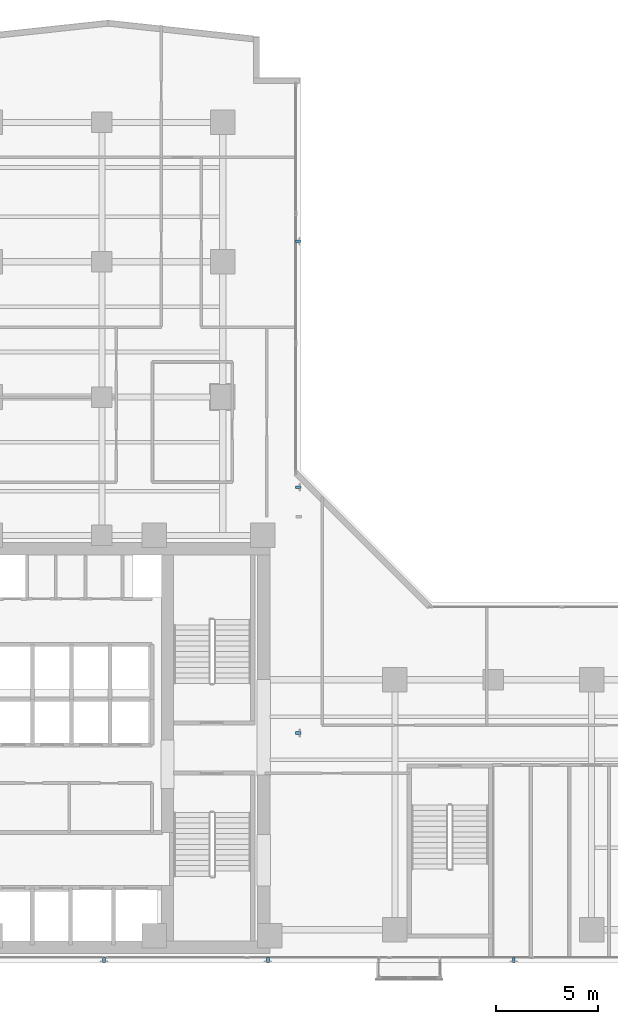
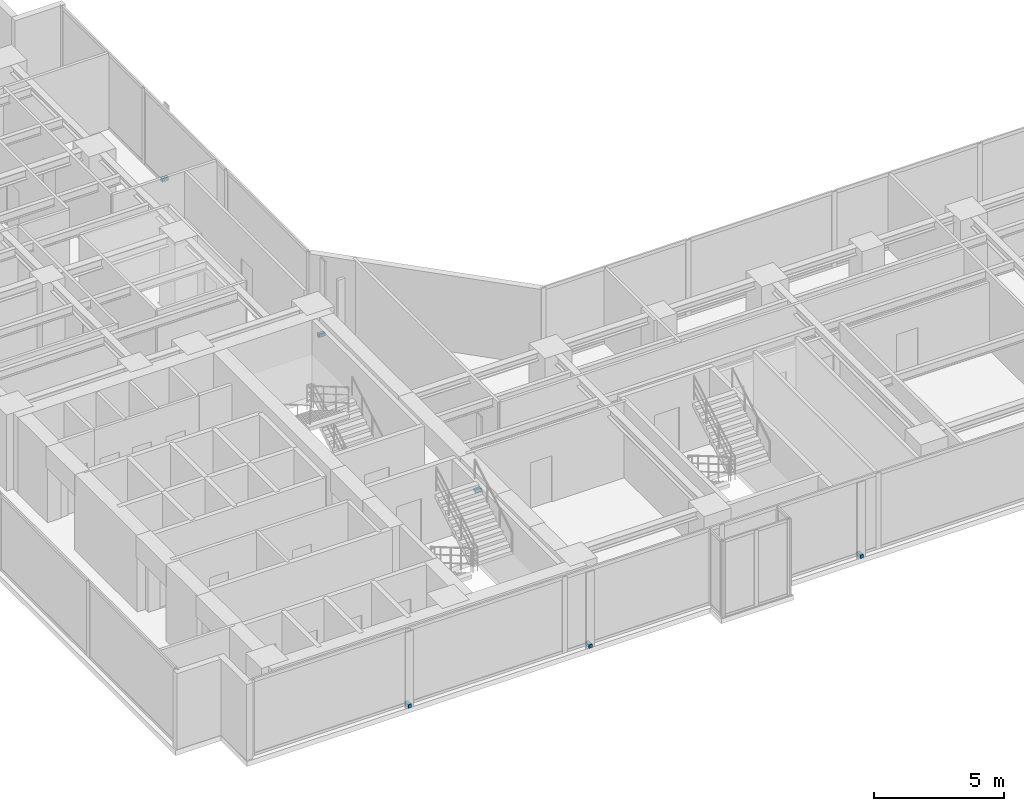
# One storey, part 22 of 24: 6 discrete accessories.
"""IFC4 building model written with IfcOpenShell, lengths in metres."""

from ifc_helpers import new_model, si_unit, direction, frame, origin, origin_with_axes, origin_2d, place, context, subcontext, project, spatial, rectangle, extrude, source, transform, mapped, material, type_object, element, save


model = new_model("IFC4")

# Units and contexts
model_context = context("Model", 3, precision=1e-05, world=origin(), true_north=direction((0.0, 1.0)))
body_context = subcontext(model_context, "Body", "Model", "MODEL_VIEW")
ifc_project = project(units=[si_unit("LENGTHUNIT", "METRE"), si_unit("AREAUNIT", "SQUARE_METRE"), si_unit("VOLUMEUNIT", "CUBIC_METRE"), si_unit("PLANEANGLEUNIT", "RADIAN"), si_unit("MASSUNIT", "GRAM", prefix="KILO")], contexts=[model_context])

# Site, building, storey
site_placement = place(None, origin())
site = spatial("IfcSite", under=ifc_project, at=site_placement, CompositionType="ELEMENT")
building_placement = place(site_placement, origin())
building = spatial("IfcBuilding", under=site, at=building_placement, Name="Kolvaren Waterfront Exchange", CompositionType="ELEMENT")
storey_placement = place(building_placement, frame((0.0, 0.0, 169.0)))
storey = spatial("IfcBuildingStorey", under=building, at=storey_placement, Name="L43", CompositionType="ELEMENT", Elevation=169.0)

# Discrete accessories
ifc_material = material(Name="Stainless steel 316", Category="steel")
discrete_accessory_type = type_object("IfcDiscreteAccessoryType", Name="ARC-BRK-FIN", PredefinedType="BRACKET", material=ifc_material)
shared_shape = source(origin_with_axes(), body_context, "Body", "SweptSolid", [
    extrude(rectangle(XDim=0.280029296875, YDim=0.139892578125, at=origin_2d()), origin(), (0.0, 0.0, 1.0), 0.159912109375),
])
for number, where, z_axis, x_axis, name in (
    (1, (13.0, 3.719970703125, 0.0), (0.0, 0.0, 1.0), (0.0, -1.0, 0.0), "L43 bronze fin anchor bracket FIN-L43-S1"),
    (2, (21.0, 3.719970703125, 0.0), (0.0, 0.0, 1.0), (0.0, -1.0, 0.0), "L43 bronze fin anchor bracket FIN-L43-S2"),
    (3, (33.0, 3.719970703125, 0.0), (0.0, 0.0, 1.0), (0.0, -1.0, 0.0), "L43 bronze fin anchor bracket FIN-L43-S3"),
    (4, (22.47998046875, 14.800048828125, 0.0), (0.0, 0.0, 1.0), (1.0, 0.0, 0.0), "L43 bronze fin anchor bracket FIN-L43-E1"),
    (5, (22.47998046875, 26.800048828125, 0.0), (0.0, 0.0, 1.0), (1.0, 0.0, 0.0), "L43 bronze fin anchor bracket FIN-L43-E2"),
    (6, (22.47998046875, 38.800048828125, 0.0), (0.0, 0.0, 1.0), (1.0, 0.0, 0.0), "L43 bronze fin anchor bracket FIN-L43-E3"),
):
    element("IfcDiscreteAccessory", number, at=place(storey_placement, frame(where, z_axis=z_axis, x_axis=x_axis)), inside=storey, type_object=discrete_accessory_type, Name=name, PredefinedType="BRACKET", context=body_context, shape_type="MappedRepresentation", body=[
        mapped(shared_shape, transform((0.0, 0.0, 0.0), x_axis=(1.0, 0.0, 0.0), y_axis=(0.0, 1.0, 0.0), z_axis=(0.0, 0.0, 1.0), scale=1.0)),
    ])

save(model, "model.ifc")
